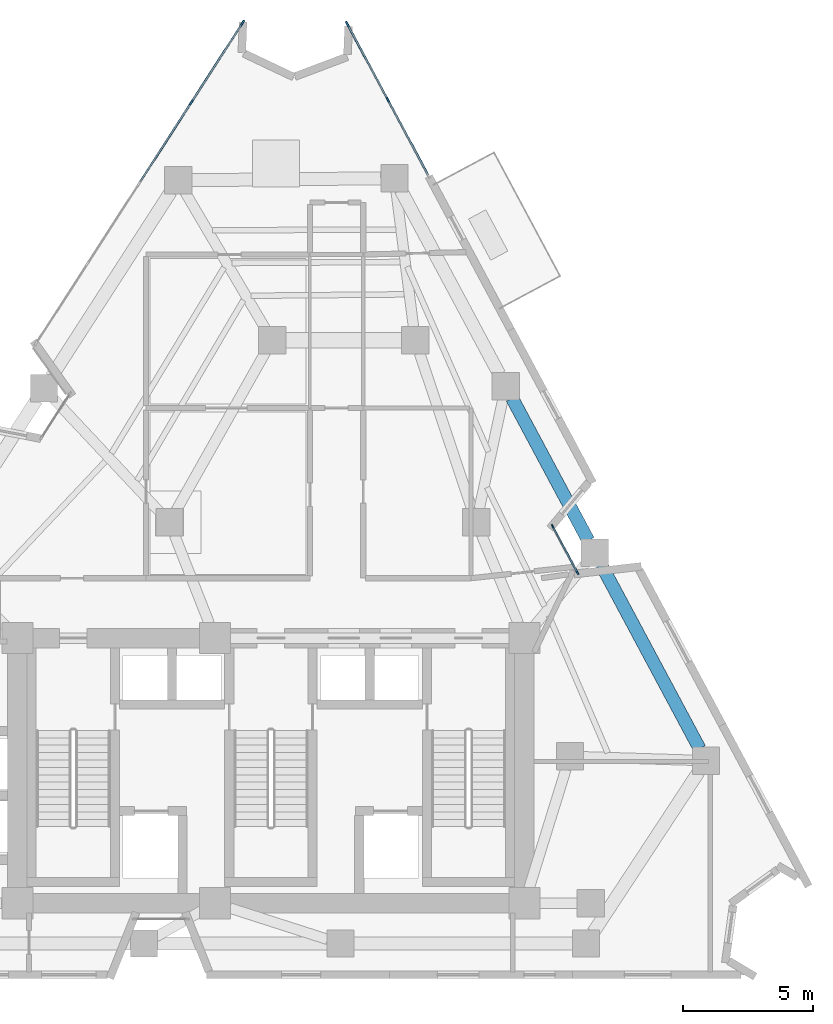
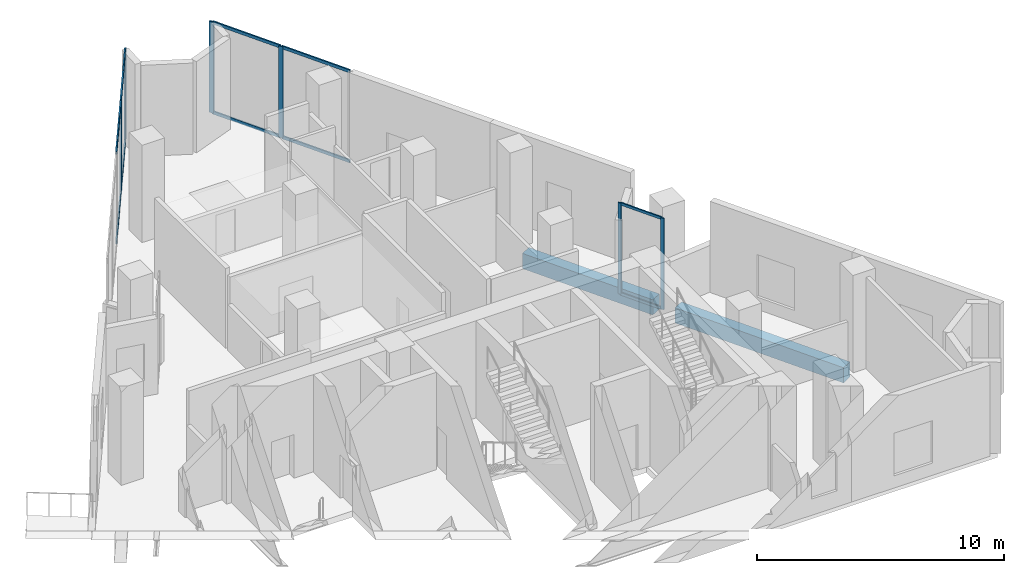
# One storey, part 4 of 10: 16 members, 2 beams, 3 elements without a shape of their own.
"""IFC4 building model written with IfcOpenShell, lengths in metres."""

from ifc_helpers import new_model, si_unit, direction, frame, origin, origin_2d, place, context, subcontext, project, spatial, rectangle, extrude, material, layer, layer_set, material_profile, profile_set, type_object, element, aggregate, save


model = new_model("IFC4")

# Units and contexts
model_context = context("Model", 3, precision=1e-05, world=origin(), true_north=direction((0.0, 1.0)))
body_context = subcontext(model_context, "Body", "Model", "MODEL_VIEW")
ifc_project = project(units=[si_unit("LENGTHUNIT", "METRE"), si_unit("AREAUNIT", "SQUARE_METRE"), si_unit("VOLUMEUNIT", "CUBIC_METRE"), si_unit("PLANEANGLEUNIT", "RADIAN"), si_unit("MASSUNIT", "GRAM", prefix="KILO")], contexts=[model_context])

# Site, building, storey
site_placement = place(None, origin())
site = spatial("IfcSite", under=ifc_project, at=site_placement, CompositionType="ELEMENT")
building_placement = place(site_placement, origin())
building = spatial("IfcBuilding", under=site, at=building_placement, Name="Almagre Mirador Tower", CompositionType="ELEMENT")
storey_placement = place(building_placement, frame((0.0, 0.0, 196.800048828125)))
storey = spatial("IfcBuildingStorey", under=building, at=storey_placement, Name="L51", CompositionType="ELEMENT", Elevation=196.800048828125)

# Beams
ifc_material_1 = material(Name="Precast concrete C50/60", Category="concrete")
ifc_material_profile_1 = material_profile(ifc_material_1, rectangle(XDim=0.5, YDim=0.75, at=origin_2d()), Name="RC500X750")
ifc_profile_set_1 = profile_set([ifc_material_profile_1], Name="Precast concrete C50/60")
beam_type = type_object("IfcBeamType", Name="BM-SPN-RC500X750", PredefinedType="SPANDREL", material=ifc_profile_set_1)
beam_1_placement = place(storey_placement, frame((53.786376953125, 10.496826171875, -0.675048828125), z_axis=(-0.471728183201, 0.881744022477, 0.0), x_axis=(-0.881744022477, -0.471728183201, 0.0)))
element("IfcBeam", 1, at=beam_1_placement, inside=storey, type_object=beam_type, Name="L51 perimeter spandrel beam PC05-PC06", PredefinedType="SPANDREL", context=body_context, shape_type="SweptSolid", body=[
    extrude(rectangle(XDim=0.5, YDim=0.75, at=origin_2d()), origin(), (0.0, 0.0, 1.0), 8.02294921875),
])
beam_2_placement = place(storey_placement, frame((49.50634765625, 18.496826171875, -0.675048828125), z_axis=(-0.471722643875, 0.881746985963, 0.0), x_axis=(-0.881746985963, -0.471722643875, 0.0)))
element("IfcBeam", 2, at=beam_2_placement, inside=storey, type_object=beam_type, Name="L51 perimeter spandrel beam PC06-PC07", PredefinedType="SPANDREL", context=body_context, shape_type="SweptSolid", body=[
    extrude(rectangle(XDim=0.5, YDim=0.75, at=origin_2d()), origin(), (0.0, 0.0, 1.0), 6.20849609375),
])

# Curtain wall, members
ifc_material_2 = material(Name="Black anodized aluminium", Category="aluminium")
ifc_layer_1 = layer(ifc_material_2, 0.169921875)
ifc_layer_set_1 = layer_set([ifc_layer_1], Name="Black anodized aluminium")
curtain_wall_type_1 = type_object("IfcCurtainWallType", Name="CW-CRS-SYS", PredefinedType="NOTDEFINED", material=ifc_layer_set_1)
curtain_wall_1_placement = place(storey_placement, origin())
curtain_wall_1 = element("IfcCurtainWall", 3, at=curtain_wall_1_placement, inside=storey, type_object=curtain_wall_type_1, Name="L51 vertical crease curtain wall 05", PredefinedType="NOTDEFINED")
ifc_material_3 = material(Name="Black anodized aluminium", Category="aluminium")
ifc_material_profile_2 = material_profile(ifc_material_3, rectangle(XDim=0.06005859375, YDim=0.14990234375, at=origin_2d()), Name="CWM60X150")
ifc_profile_set_2 = profile_set([ifc_material_profile_2], Name="Black anodized aluminium")
member_type_1 = type_object("IfcMemberType", Name="MBR-CWM60X150", PredefinedType="MULLION", material=ifc_profile_set_2)
member_1_placement = place(storey_placement, frame((48.13525390625, 19.045654296875, 0.0), z_axis=(0.0, 0.0, 1.0), x_axis=(0.881742992316, 0.47173010875, 0.0)))
member_1 = element("IfcMember", 4, at=member_1_placement, type_object=member_type_1, Name="CW-4 mullion 1", PredefinedType="MULLION", context=body_context, shape_type="SweptSolid", body=[
    extrude(rectangle(XDim=0.06005859375, YDim=0.14990234375, at=origin_2d()), origin(), (0.0, 0.0, 1.0), 4.5),
])
member_2_placement = place(storey_placement, frame((49.0927734375, 17.25537109375, 0.0), z_axis=(0.0, 0.0, 1.0), x_axis=(0.881742992316, 0.47173010875, 0.0)))
member_2 = element("IfcMember", 5, at=member_2_placement, type_object=member_type_1, Name="CW-4 mullion 2", PredefinedType="MULLION", context=body_context, shape_type="SweptSolid", body=[
    extrude(rectangle(XDim=0.06005859375, YDim=0.14990234375, at=origin_2d()), origin(), (0.0, 0.0, 1.0), 4.5),
])

ifc_material_4 = material(Name="Black anodized aluminium", Category="aluminium")
ifc_layer_2 = layer(ifc_material_4, 0.22998046875)
ifc_layer_set_2 = layer_set([ifc_layer_2], Name="Black anodized aluminium")
curtain_wall_type_2 = type_object("IfcCurtainWallType", Name="CW-SKY-SYS", PredefinedType="NOTDEFINED", material=ifc_layer_set_2)
curtain_wall_2_placement = place(storey_placement, origin())
curtain_wall_2 = element("IfcCurtainWall", 6, at=curtain_wall_2_placement, inside=storey, type_object=curtain_wall_type_2, Name="L51 curtain wall run 03", PredefinedType="NOTDEFINED")
ifc_material_5 = material(Name="Black anodized aluminium", Category="aluminium")
ifc_material_profile_3 = material_profile(ifc_material_5, rectangle(XDim=0.070068359375, YDim=0.2099609375, at=origin_2d()), Name="CWM70X210")
ifc_profile_set_3 = profile_set([ifc_material_profile_3], Name="Black anodized aluminium")
member_type_2 = type_object("IfcMemberType", Name="MBR-CWM70X210", PredefinedType="MULLION", material=ifc_profile_set_3)
member_3_placement = place(storey_placement, frame((34.23583984375, 35.343994140625, 0.0), z_axis=(0.0, 0.0, 1.0), x_axis=(-0.840361480381, 0.542026366786, 0.0)))
member_3 = element("IfcMember", 7, at=member_3_placement, type_object=member_type_2, Name="CW-5 mullion 2", PredefinedType="MULLION", context=body_context, shape_type="SweptSolid", body=[
    extrude(rectangle(XDim=0.070068359375, YDim=0.2099609375, at=origin_2d()), origin(), (0.0, 0.0, 1.0), 4.5),
])
member_4_placement = place(storey_placement, frame((36.213134765625, 38.40966796875, 0.0), z_axis=(0.0, 0.0, 1.0), x_axis=(-0.840361480381, 0.542026366786, 0.0)))
member_4 = element("IfcMember", 8, at=member_4_placement, type_object=member_type_2, Name="CW-5 mullion 3", PredefinedType="MULLION", context=body_context, shape_type="SweptSolid", body=[
    extrude(rectangle(XDim=0.070068359375, YDim=0.2099609375, at=origin_2d()), origin(), (0.0, 0.0, 1.0), 4.5),
])

curtain_wall_3_placement = place(storey_placement, origin())
curtain_wall_3 = element("IfcCurtainWall", 9, at=curtain_wall_3_placement, inside=storey, type_object=curtain_wall_type_2, Name="L51 curtain wall run 04", PredefinedType="NOTDEFINED")
member_5_placement = place(storey_placement, frame((40.237548828125, 38.365478515625, 0.0), z_axis=(0.0, 0.0, 1.0), x_axis=(0.881736738613, 0.471741797788, 0.0)))
member_5 = element("IfcMember", 10, at=member_5_placement, type_object=member_type_2, Name="CW-5 mullion 1", PredefinedType="MULLION", context=body_context, shape_type="SweptSolid", body=[
    extrude(rectangle(XDim=0.070068359375, YDim=0.2099609375, at=origin_2d()), origin(), (0.0, 0.0, 1.0), 4.5),
])
member_6_placement = place(storey_placement, frame((41.797607421875, 35.44970703125, 0.0), z_axis=(0.0, 0.0, 1.0), x_axis=(0.881736738613, 0.471741797788, 0.0)))
member_6 = element("IfcMember", 11, at=member_6_placement, type_object=member_type_2, Name="CW-5 mullion 2", PredefinedType="MULLION", context=body_context, shape_type="SweptSolid", body=[
    extrude(rectangle(XDim=0.070068359375, YDim=0.2099609375, at=origin_2d()), origin(), (0.0, 0.0, 1.0), 4.5),
])

# Member
ifc_material_6 = material(Name="Black anodized aluminium", Category="aluminium")
ifc_material_profile_4 = material_profile(ifc_material_6, rectangle(XDim=0.06005859375, YDim=0.1298828125, at=origin_2d()), Name="CWT60X130")
ifc_profile_set_4 = profile_set([ifc_material_profile_4], Name="Black anodized aluminium")
member_type_3 = type_object("IfcMemberType", Name="MBR-CWT60X130", PredefinedType="USERDEFINED", material=ifc_profile_set_4)
member_7_placement = place(storey_placement, frame((48.1494140625, 19.01904296875, 0.030029296875), z_axis=(0.471681382724, -0.881769058876, 0.0), x_axis=(0.881769058876, 0.471681382724, 0.0)))
member_7 = element("IfcMember", 12, at=member_7_placement, type_object=member_type_3, Name="CW-4 transom 1.1", ObjectType="TRANSOM", PredefinedType="USERDEFINED", context=body_context, shape_type="SweptSolid", body=[
    extrude(rectangle(XDim=0.06005859375, YDim=0.1298828125, at=origin_2d()), origin(), (0.0, 0.0, 1.0), 1.969970703125),
])

member_8_placement = place(storey_placement, frame((48.1494140625, 19.01904296875, 4.469970703125), z_axis=(0.471681382724, -0.881769058876, 0.0), x_axis=(0.881769058876, 0.471681382724, 0.0)))
member_8 = element("IfcMember", 13, at=member_8_placement, type_object=member_type_3, Name="CW-4 transom 1.2", ObjectType="TRANSOM", PredefinedType="USERDEFINED", context=body_context, shape_type="SweptSolid", body=[
    extrude(rectangle(XDim=0.06005859375, YDim=0.1298828125, at=origin_2d()), origin(), (0.0, 0.0, 1.0), 1.969970703125),
])

aggregate(curtain_wall_1, [member_1, member_2, member_7, member_8])

ifc_material_7 = material(Name="Black anodized aluminium", Category="aluminium")
ifc_material_profile_5 = material_profile(ifc_material_7, rectangle(XDim=0.06494140625, YDim=0.14990234375, at=origin_2d()), Name="CWT65X150")
ifc_profile_set_5 = profile_set([ifc_material_profile_5], Name="Black anodized aluminium")
member_type_4 = type_object("IfcMemberType", Name="MBR-CWT65X150", PredefinedType="USERDEFINED", material=ifc_profile_set_5)
member_9_placement = place(storey_placement, frame((32.27734375, 32.307861328125, 0.032470703125), z_axis=(0.542039833992, 0.840352793989, 0.0), x_axis=(-0.840352793989, 0.542039833992, 0.0)))
member_9 = element("IfcMember", 14, at=member_9_placement, type_object=member_type_4, Name="CW-5 transom 1.1", ObjectType="TRANSOM", PredefinedType="USERDEFINED", context=body_context, shape_type="SweptSolid", body=[
    extrude(rectangle(XDim=0.06494140625, YDim=0.14990234375, at=origin_2d()), origin(), (0.0, 0.0, 1.0), 3.578125),
])

member_10_placement = place(storey_placement, frame((32.27734375, 32.307861328125, 4.467529296875), z_axis=(0.542039833992, 0.840352793989, 0.0), x_axis=(-0.840352793989, 0.542039833992, 0.0)))
member_10 = element("IfcMember", 15, at=member_10_placement, type_object=member_type_4, Name="CW-5 transom 1.2", ObjectType="TRANSOM", PredefinedType="USERDEFINED", context=body_context, shape_type="SweptSolid", body=[
    extrude(rectangle(XDim=0.06494140625, YDim=0.14990234375, at=origin_2d()), origin(), (0.0, 0.0, 1.0), 3.578125),
])

member_11_placement = place(storey_placement, frame((34.254638671875, 35.373291015625, 0.032470703125), z_axis=(0.542039833992, 0.840352793989, 0.0), x_axis=(-0.840352793989, 0.542039833992, 0.0)))
member_11 = element("IfcMember", 16, at=member_11_placement, type_object=member_type_4, Name="CW-5 transom 2.1", ObjectType="TRANSOM", PredefinedType="USERDEFINED", context=body_context, shape_type="SweptSolid", body=[
    extrude(rectangle(XDim=0.06494140625, YDim=0.14990234375, at=origin_2d()), origin(), (0.0, 0.0, 1.0), 3.578125),
])

member_12_placement = place(storey_placement, frame((34.254638671875, 35.373291015625, 4.467529296875), z_axis=(0.542039833992, 0.840352793989, 0.0), x_axis=(-0.840352793989, 0.542039833992, 0.0)))
member_12 = element("IfcMember", 17, at=member_12_placement, type_object=member_type_4, Name="CW-5 transom 2.2", ObjectType="TRANSOM", PredefinedType="USERDEFINED", context=body_context, shape_type="SweptSolid", body=[
    extrude(rectangle(XDim=0.06494140625, YDim=0.14990234375, at=origin_2d()), origin(), (0.0, 0.0, 1.0), 3.578125),
])

aggregate(curtain_wall_2, [member_3, member_4, member_9, member_10, member_11, member_12])

member_13_placement = place(storey_placement, frame((40.25390625, 38.334716796875, 0.032470703125), z_axis=(0.471781812152, -0.881715329186, 0.0), x_axis=(0.881715329186, 0.471781812152, 0.0)))
member_13 = element("IfcMember", 18, at=member_13_placement, type_object=member_type_4, Name="CW-5 transom 1.1", ObjectType="TRANSOM", PredefinedType="USERDEFINED", context=body_context, shape_type="SweptSolid", body=[
    extrude(rectangle(XDim=0.06494140625, YDim=0.14990234375, at=origin_2d()), origin(), (0.0, 0.0, 1.0), 3.23681640625),
])

member_14_placement = place(storey_placement, frame((40.25390625, 38.334716796875, 4.467529296875), z_axis=(0.471781812152, -0.881715329186, 0.0), x_axis=(0.881715329186, 0.471781812152, 0.0)))
member_14 = element("IfcMember", 19, at=member_14_placement, type_object=member_type_4, Name="CW-5 transom 1.2", ObjectType="TRANSOM", PredefinedType="USERDEFINED", context=body_context, shape_type="SweptSolid", body=[
    extrude(rectangle(XDim=0.06494140625, YDim=0.14990234375, at=origin_2d()), origin(), (0.0, 0.0, 1.0), 3.23681640625),
])

member_15_placement = place(storey_placement, frame((41.81396484375, 35.4189453125, 0.032470703125), z_axis=(0.471781812152, -0.881715329186, 0.0), x_axis=(0.881715329186, 0.471781812152, 0.0)))
member_15 = element("IfcMember", 20, at=member_15_placement, type_object=member_type_4, Name="CW-5 transom 2.1", ObjectType="TRANSOM", PredefinedType="USERDEFINED", context=body_context, shape_type="SweptSolid", body=[
    extrude(rectangle(XDim=0.06494140625, YDim=0.14990234375, at=origin_2d()), origin(), (0.0, 0.0, 1.0), 3.23681640625),
])

member_16_placement = place(storey_placement, frame((41.81396484375, 35.4189453125, 4.467529296875), z_axis=(0.471781812152, -0.881715329186, 0.0), x_axis=(0.881715329186, 0.471781812152, 0.0)))
member_16 = element("IfcMember", 21, at=member_16_placement, type_object=member_type_4, Name="CW-5 transom 2.2", ObjectType="TRANSOM", PredefinedType="USERDEFINED", context=body_context, shape_type="SweptSolid", body=[
    extrude(rectangle(XDim=0.06494140625, YDim=0.14990234375, at=origin_2d()), origin(), (0.0, 0.0, 1.0), 3.23681640625),
])

aggregate(curtain_wall_3, [member_5, member_6, member_13, member_14, member_15, member_16])

save(model, "model.ifc")
